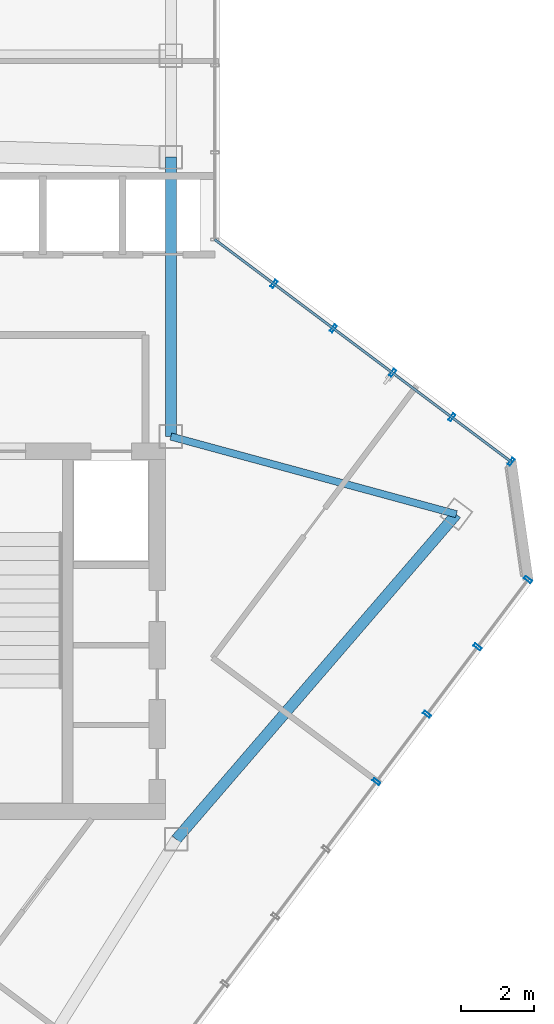
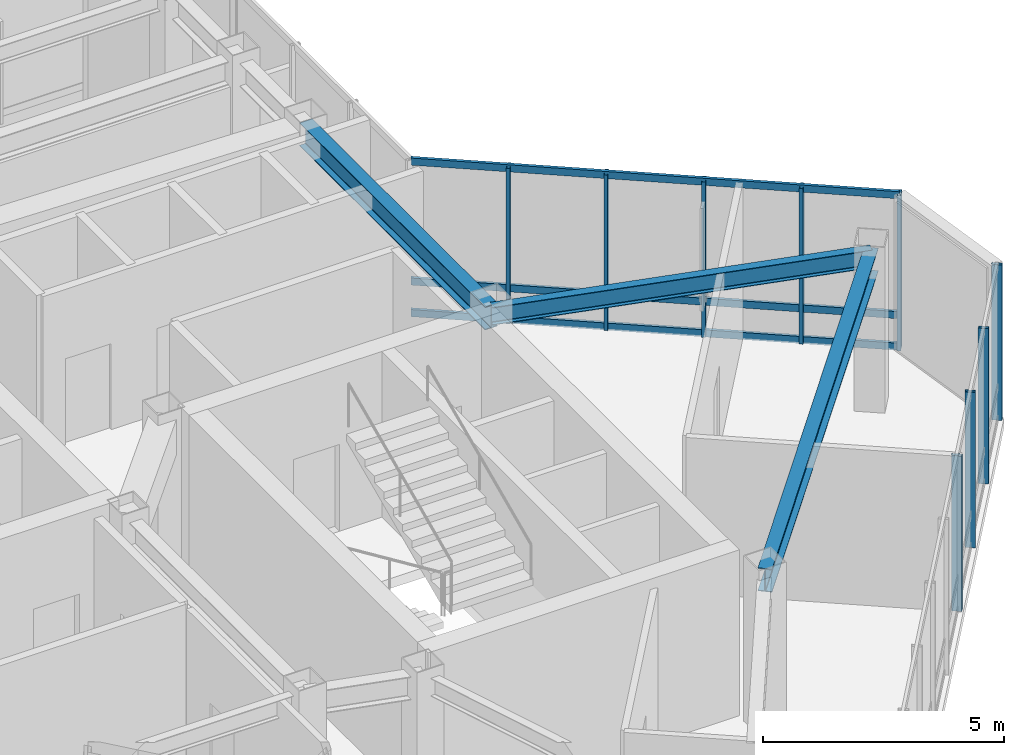
# One storey, part 11 of 22: 12 members, 3 beams, 2 elements without a shape of their own.
"""IFC4 building model written with IfcOpenShell, lengths in metres."""

from ifc_helpers import new_model, si_unit, direction, frame, origin, origin_2d, place, context, subcontext, project, spatial, hollow_rectangle, i_section, extrude, material, layer, layer_set, material_profile, profile_set, type_object, element, aggregate, save


model = new_model("IFC4")

# Units and contexts
model_context = context("Model", 3, precision=1e-05, world=origin(), true_north=direction((0.0, 1.0)))
body_context = subcontext(model_context, "Body", "Model", "MODEL_VIEW")
ifc_project = project(units=[si_unit("LENGTHUNIT", "METRE"), si_unit("AREAUNIT", "SQUARE_METRE"), si_unit("VOLUMEUNIT", "CUBIC_METRE"), si_unit("PLANEANGLEUNIT", "RADIAN"), si_unit("MASSUNIT", "GRAM", prefix="KILO")], contexts=[model_context])

# Site, building, storey
site_placement = place(None, origin())
site = spatial("IfcSite", under=ifc_project, at=site_placement, CompositionType="ELEMENT")
building_placement = place(site_placement, origin())
building = spatial("IfcBuilding", under=site, at=building_placement, Name="Hatsunagi Terrace Concourse", CompositionType="ELEMENT")
storey_placement = place(building_placement, frame((0.0, 0.0, 261.75)))
storey = spatial("IfcBuildingStorey", under=building, at=storey_placement, Name="L69", CompositionType="ELEMENT", Elevation=261.75)

# Curtain wall, members
ifc_material_1 = material(Name="Anodised Aluminium Alloy 6063-T5", Category="aluminium")
ifc_layer = layer(ifc_material_1, 0.199951171875)
ifc_layer_set = layer_set([ifc_layer], Name="SkyLobbyAtrium_CW05")
curtain_wall_type = type_object("IfcCurtainWallType", Name="SkyLobbyAtrium_CW05", PredefinedType="NOTDEFINED", material=ifc_layer_set)
curtain_wall_1_placement = place(storey_placement, origin())
curtain_wall_1 = element("IfcCurtainWall", 1, at=curtain_wall_1_placement, inside=storey, type_object=curtain_wall_type, Name="Unitised Curtain Wall CW-05 CW-L69-06", PredefinedType="NOTDEFINED")
ifc_material_2 = material(Name="Anodised Aluminium Alloy 6063-T5", Category="aluminium")
ifc_material_profile_1 = material_profile(ifc_material_2, hollow_rectangle(XDim=0.080078125, YDim=0.219970703125, WallThickness=0.0048828125, at=origin_2d()), Name="ALU-MUL-220x80x5")
ifc_profile_set_1 = profile_set([ifc_material_profile_1], Name="Anodised Aluminium Alloy 6063-T5")
member_type_1 = type_object("IfcMemberType", Name="CurtainWallMullion_Heavy_220x80", PredefinedType="MULLION", material=ifc_profile_set_1)
member_1_placement = place(storey_placement, frame((46.493896484375, 39.5048828125, 0.0), z_axis=(0.0, 0.0, 1.0), x_axis=(0.800023013105, -0.599969314634, 0.0)))
member_1 = element("IfcMember", 2, at=member_1_placement, type_object=member_type_1, Name="Curtain Wall Mullion MUL-01", PredefinedType="MULLION", context=body_context, shape_type="SweptSolid", body=[
    extrude(hollow_rectangle(XDim=0.080078125, YDim=0.219970703125, WallThickness=0.0048828125, at=origin_2d()), origin(), (0.0, 0.0, 1.0), 3.93994140625),
])
member_2_placement = place(storey_placement, frame((48.1279296875, 38.279052734375, 0.0), z_axis=(0.0, 0.0, 1.0), x_axis=(0.800023013105, -0.599969314634, 0.0)))
member_2 = element("IfcMember", 3, at=member_2_placement, type_object=member_type_1, Name="Curtain Wall Mullion MUL-01", PredefinedType="MULLION", context=body_context, shape_type="SweptSolid", body=[
    extrude(hollow_rectangle(XDim=0.080078125, YDim=0.219970703125, WallThickness=0.0048828125, at=origin_2d()), origin(), (0.0, 0.0, 1.0), 3.93994140625),
])
member_3_placement = place(storey_placement, frame((49.761962890625, 37.053955078125, 0.0), z_axis=(0.0, 0.0, 1.0), x_axis=(0.800023013105, -0.599969314634, 0.0)))
member_3 = element("IfcMember", 4, at=member_3_placement, type_object=member_type_1, Name="Curtain Wall Mullion MUL-01", PredefinedType="MULLION", context=body_context, shape_type="SweptSolid", body=[
    extrude(hollow_rectangle(XDim=0.080078125, YDim=0.219970703125, WallThickness=0.0048828125, at=origin_2d()), origin(), (0.0, 0.0, 1.0), 3.93994140625),
])
member_4_placement = place(storey_placement, frame((51.39599609375, 35.827880859375, 0.0), z_axis=(0.0, 0.0, 1.0), x_axis=(0.800023013105, -0.599969314634, 0.0)))
member_4 = element("IfcMember", 5, at=member_4_placement, type_object=member_type_1, Name="Curtain Wall Mullion MUL-01", PredefinedType="MULLION", context=body_context, shape_type="SweptSolid", body=[
    extrude(hollow_rectangle(XDim=0.080078125, YDim=0.219970703125, WallThickness=0.0048828125, at=origin_2d()), origin(), (0.0, 0.0, 1.0), 3.93994140625),
])
member_5_placement = place(storey_placement, frame((53.030029296875, 34.60302734375, 0.0), z_axis=(0.0, 0.0, 1.0), x_axis=(0.800023013105, -0.599969314634, 0.0)))
member_5 = element("IfcMember", 6, at=member_5_placement, type_object=member_type_1, Name="Curtain Wall Mullion MUL-01", PredefinedType="MULLION", context=body_context, shape_type="SweptSolid", body=[
    extrude(hollow_rectangle(XDim=0.080078125, YDim=0.219970703125, WallThickness=0.0048828125, at=origin_2d()), origin(), (0.0, 0.0, 1.0), 3.93994140625),
])

curtain_wall_2_placement = place(storey_placement, origin())
curtain_wall_2 = element("IfcCurtainWall", 7, at=curtain_wall_2_placement, inside=storey, type_object=curtain_wall_type, Name="Unitised Curtain Wall CW-05 CW-L69-08", PredefinedType="NOTDEFINED")
member_6_placement = place(storey_placement, frame((53.492919921875, 31.35791015625, 0.0), z_axis=(0.0, 0.0, 1.0), x_axis=(-0.599969314634, -0.800023013105, 0.0)))
member_6 = element("IfcMember", 8, at=member_6_placement, type_object=member_type_1, Name="Curtain Wall Mullion MUL-01", PredefinedType="MULLION", context=body_context, shape_type="SweptSolid", body=[
    extrude(hollow_rectangle(XDim=0.080078125, YDim=0.219970703125, WallThickness=0.0048828125, at=origin_2d()), origin(), (0.0, 0.0, 1.0), 3.93994140625),
])
member_7_placement = place(storey_placement, frame((52.10107421875, 29.501953125, 0.0), z_axis=(0.0, 0.0, 1.0), x_axis=(-0.599969314634, -0.800023013105, 0.0)))
member_7 = element("IfcMember", 9, at=member_7_placement, type_object=member_type_1, Name="Curtain Wall Mullion MUL-01", PredefinedType="MULLION", context=body_context, shape_type="SweptSolid", body=[
    extrude(hollow_rectangle(XDim=0.080078125, YDim=0.219970703125, WallThickness=0.0048828125, at=origin_2d()), origin(), (0.0, 0.0, 1.0), 3.93994140625),
])
member_8_placement = place(storey_placement, frame((50.708984375, 27.64501953125, 0.0), z_axis=(0.0, 0.0, 1.0), x_axis=(-0.599969314634, -0.800023013105, 0.0)))
member_8 = element("IfcMember", 10, at=member_8_placement, type_object=member_type_1, Name="Curtain Wall Mullion MUL-01", PredefinedType="MULLION", context=body_context, shape_type="SweptSolid", body=[
    extrude(hollow_rectangle(XDim=0.080078125, YDim=0.219970703125, WallThickness=0.0048828125, at=origin_2d()), origin(), (0.0, 0.0, 1.0), 3.93994140625),
])
member_9_placement = place(storey_placement, frame((49.31591796875, 25.7890625, 0.0), z_axis=(0.0, 0.0, 1.0), x_axis=(-0.599969314634, -0.800023013105, 0.0)))
member_9 = element("IfcMember", 11, at=member_9_placement, type_object=member_type_1, Name="Curtain Wall Mullion MUL-01", PredefinedType="MULLION", context=body_context, shape_type="SweptSolid", body=[
    extrude(hollow_rectangle(XDim=0.080078125, YDim=0.219970703125, WallThickness=0.0048828125, at=origin_2d()), origin(), (0.0, 0.0, 1.0), 3.93994140625),
])
aggregate(curtain_wall_2, [member_6, member_7, member_8, member_9])

# Member
ifc_material_3 = material(Name="Anodised Aluminium Alloy 6063-T5", Category="aluminium")
ifc_material_profile_2 = material_profile(ifc_material_3, hollow_rectangle(XDim=0.070068359375, YDim=0.179931640625, WallThickness=0.00390625, at=origin_2d()), Name="ALU-TRN-180x70x4")
ifc_profile_set_2 = profile_set([ifc_material_profile_2], Name="Anodised Aluminium Alloy 6063-T5")
member_type_2 = type_object("IfcMemberType", Name="CurtainWallTransom_Heavy_180x70", PredefinedType="USERDEFINED", material=ifc_profile_set_2)
member_10_placement = place(storey_placement, frame((44.860107421875, 40.72998046875, 0.050048828125), z_axis=(0.800022950109, -0.599969398635, 0.0), x_axis=(0.599969398635, 0.800022950109, 0.0)))
member_10 = element("IfcMember", 12, at=member_10_placement, type_object=member_type_2, Name="Curtain Wall Transom TRN-01", ObjectType="TRANSOM", PredefinedType="USERDEFINED", context=body_context, shape_type="SweptSolid", body=[
    extrude(hollow_rectangle(XDim=0.070068359375, YDim=0.179931640625, WallThickness=0.00390625, at=origin_2d()), origin(), (0.0, 0.0, 1.0), 10.212158203125),
])

member_11_placement = place(storey_placement, frame((44.860107421875, 40.72998046875, 0.85009765625), z_axis=(0.800022950109, -0.599969398635, 0.0), x_axis=(0.599969398635, 0.800022950109, 0.0)))
member_11 = element("IfcMember", 13, at=member_11_placement, type_object=member_type_2, Name="Curtain Wall Transom TRN-01", ObjectType="TRANSOM", PredefinedType="USERDEFINED", context=body_context, shape_type="SweptSolid", body=[
    extrude(hollow_rectangle(XDim=0.070068359375, YDim=0.179931640625, WallThickness=0.00390625, at=origin_2d()), origin(), (0.0, 0.0, 1.0), 10.212158203125),
])

member_12_placement = place(storey_placement, frame((44.860107421875, 40.72998046875, 3.889892578125), z_axis=(0.800022950109, -0.599969398635, 0.0), x_axis=(0.599969398635, 0.800022950109, 0.0)))
member_12 = element("IfcMember", 14, at=member_12_placement, type_object=member_type_2, Name="Curtain Wall Transom TRN-01", ObjectType="TRANSOM", PredefinedType="USERDEFINED", context=body_context, shape_type="SweptSolid", body=[
    extrude(hollow_rectangle(XDim=0.070068359375, YDim=0.179931640625, WallThickness=0.00390625, at=origin_2d()), origin(), (0.0, 0.0, 1.0), 10.212158203125),
])

aggregate(curtain_wall_1, [member_1, member_2, member_3, member_4, member_5, member_10, member_11, member_12])

# Beams
ifc_material_4 = material(Name="Steel SN490B", Category="steel")
ifc_material_profile_3 = material_profile(ifc_material_4, i_section(OverallWidth=0.300048828125, OverallDepth=0.587890625, WebThickness=0.011962890625, FlangeThickness=0.02001953125, FilletRadius=0.01806640625, at=origin_2d()), Name="H-588x300x12x20")
ifc_profile_set_3 = profile_set([ifc_material_profile_3], Name="Steel SN490B")
beam_type_1 = type_object("IfcBeamType", Name="OfficeHighGirder_H_588x300", PredefinedType="BEAM", material=ifc_profile_set_3)
beam_1_placement = place(storey_placement, frame((43.64990234375, 35.300048828125, 3.656005859375), z_axis=(0.0, 1.0, 0.0), x_axis=(-1.0, 0.0, 0.0)))
element("IfcBeam", 15, at=beam_1_placement, inside=storey, type_object=beam_type_1, Name="Beam G-06 BM-L69-CBK3", PredefinedType="BEAM", context=body_context, shape_type="SweptSolid", body=[
    extrude(i_section(OverallWidth=0.300048828125, OverallDepth=0.587890625, WebThickness=0.011962890625, FlangeThickness=0.02001953125, FilletRadius=0.01806640625, at=origin_2d()), origin(), (0.0, 0.0, 1.0), 7.699951171875),
])
beam_2_placement = place(storey_placement, frame((43.800048828125, 24.199951171875, 3.656005859375), z_axis=(0.652739101421, 0.757582777969, 0.0), x_axis=(-0.757582777969, 0.652739101421, 0.0)))
element("IfcBeam", 16, at=beam_2_placement, inside=storey, type_object=beam_type_1, Name="Beam G-06 BM-L69-SET-1B", PredefinedType="BEAM", context=body_context, shape_type="SweptSolid", body=[
    extrude(i_section(OverallWidth=0.300048828125, OverallDepth=0.587890625, WebThickness=0.011962890625, FlangeThickness=0.02001953125, FilletRadius=0.01806640625, at=origin_2d()), origin(), (0.0, 0.0, 1.0), 11.8271484375),
])
ifc_material_5 = material(Name="Steel SN490B", Category="steel")
ifc_material_profile_4 = material_profile(ifc_material_5, i_section(OverallWidth=0.199951171875, OverallDepth=0.449951171875, WebThickness=0.009033203125, FlangeThickness=0.013916015625, FilletRadius=0.01611328125, at=origin_2d()), Name="H-450x200x9x14")
ifc_profile_set_4 = profile_set([ifc_material_profile_4], Name="Steel SN490B")
beam_type_2 = type_object("IfcBeamType", Name="PerimeterSpandrel_H_450x200", PredefinedType="SPANDREL", material=ifc_profile_set_4)
beam_3_placement = place(storey_placement, frame((43.64990234375, 35.300048828125, 3.72509765625), z_axis=(0.964958359286, -0.262403057994, 0.0), x_axis=(0.262403057994, 0.964958359286, 0.0)))
element("IfcBeam", 17, at=beam_3_placement, inside=storey, type_object=beam_type_2, Name="Beam SP-02 BM-L69-SE-NE0", PredefinedType="SPANDREL", context=body_context, shape_type="SweptSolid", body=[
    extrude(i_section(OverallWidth=0.199951171875, OverallDepth=0.449951171875, WebThickness=0.009033203125, FlangeThickness=0.013916015625, FilletRadius=0.01611328125, at=origin_2d()), origin(), (0.0, 0.0, 1.0), 8.156005859375),
])

save(model, "model.ifc")
